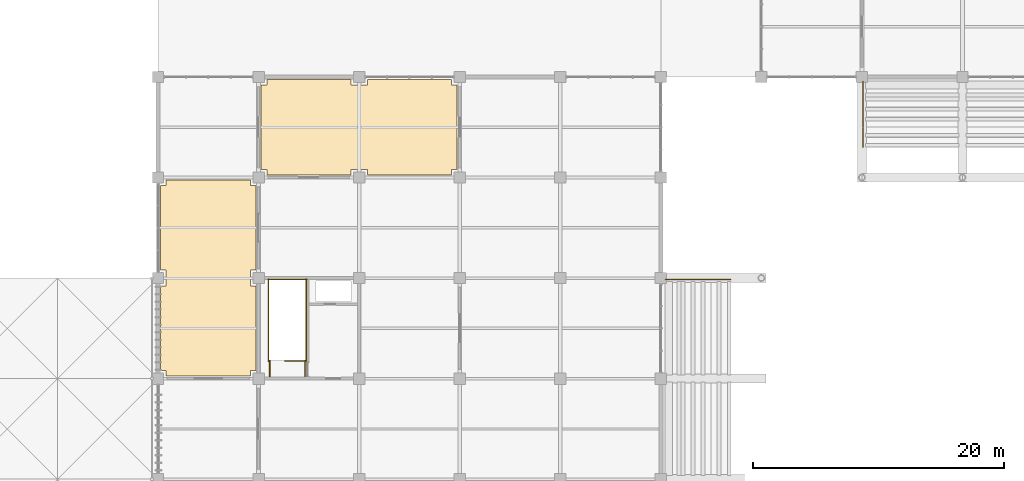
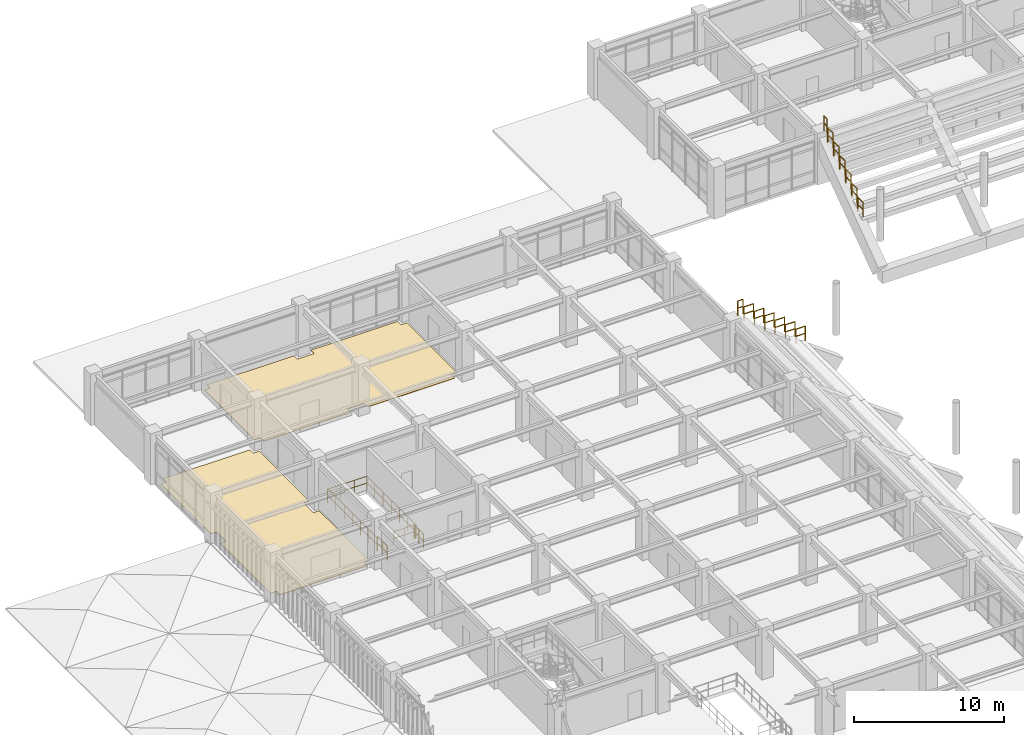
# One storey, part 115 of 118: 20 railings, 2 coverings.
"""IFC4 building model written with IfcOpenShell, lengths in metres."""

from ifc_helpers import new_model, si_unit, direction, frame, origin, origin_2d, place, context, subcontext, project, spatial, polyline, circle, outline, extrude, material, layer, layer_set, type_object, element, save


model = new_model("IFC4")

# Units and contexts
model_context = context("Model", 3, precision=1e-05, world=origin(), true_north=direction((0.0, 1.0)))
body_context = subcontext(model_context, "Body", "Model", "MODEL_VIEW")
ifc_project = project(units=[si_unit("LENGTHUNIT", "METRE"), si_unit("AREAUNIT", "SQUARE_METRE"), si_unit("VOLUMEUNIT", "CUBIC_METRE"), si_unit("PLANEANGLEUNIT", "RADIAN"), si_unit("MASSUNIT", "GRAM", prefix="KILO")], contexts=[model_context])

# Site, building, storey
site_placement = place(None, origin())
site = spatial("IfcSite", under=ifc_project, at=site_placement, CompositionType="ELEMENT")
building_placement = place(site_placement, origin())
building = spatial("IfcBuilding", under=site, at=building_placement, Name="Haebicheon Civic Stadium", CompositionType="ELEMENT")
storey_placement = place(building_placement, frame((0.0, 0.0, 14.39990234375)))
storey = spatial("IfcBuildingStorey", under=building, at=storey_placement, Name="L04", CompositionType="ELEMENT", Elevation=14.39990234375)

# Coverings
ifc_material_1 = material(Name="Quartz epoxy resin mortar", Category="concrete")
ifc_layer = layer(ifc_material_1, 0.030029296875, Name="Quartz epoxy resin mortar")
ifc_layer_set = layer_set([ifc_layer], Name="Quartz epoxy resin mortar")
covering_type = type_object("IfcCoveringType", Name="COV-FLR-EPX", PredefinedType="FLOORING", material=ifc_layer_set)
covering_1_placement = place(storey_placement, origin())
element("IfcCovering", 1, at=covering_1_placement, inside=storey, type_object=covering_type, material=ifc_layer_set, Name="L04 VIP Banquet Dining Room non-slip floor finish", PredefinedType="FLOORING", context=body_context, shape_type="SweptSolid", body=[
    extrude(outline(polyline([(24.64990234375, 128.199951171875), (24.64990234375, 128.64990234375), (24.199951171875, 128.64990234375), (24.199951171875, 135.35009765625), (24.64990234375, 135.35009765625), (24.64990234375, 136.64990234375), (24.199951171875, 136.64990234375), (24.199951171875, 143.35009765625), (24.64990234375, 143.35009765625), (24.64990234375, 143.800048828125), (31.35009765625, 143.800048828125), (31.35009765625, 143.35009765625), (31.800048828125, 143.35009765625), (31.800048828125, 136.64990234375), (31.35009765625, 136.64990234375), (31.35009765625, 135.35009765625), (31.800048828125, 135.35009765625), (31.800048828125, 128.64990234375), (31.35009765625, 128.64990234375), (31.35009765625, 128.199951171875), (24.64990234375, 128.199951171875)])), origin(), (0.0, 0.0, 1.0), 0.030029296875),
])
covering_2_placement = place(storey_placement, origin())
element("IfcCovering", 2, at=covering_2_placement, inside=storey, type_object=covering_type, material=ifc_layer_set, Name="L04 Sommelier Pantry Kitchen non-slip floor finish", PredefinedType="FLOORING", context=body_context, shape_type="SweptSolid", body=[
    extrude(outline(polyline([(32.199951171875, 151.35009765625), (32.64990234375, 151.35009765625), (32.64990234375, 151.800048828125), (39.35009765625, 151.800048828125), (39.35009765625, 151.35009765625), (40.64990234375, 151.35009765625), (40.64990234375, 151.800048828125), (47.35009765625, 151.800048828125), (47.35009765625, 151.35009765625), (47.800048828125, 151.35009765625), (47.800048828125, 144.64990234375), (47.35009765625, 144.64990234375), (47.35009765625, 144.199951171875), (40.64990234375, 144.199951171875), (40.64990234375, 144.64990234375), (39.35009765625, 144.64990234375), (39.35009765625, 144.199951171875), (32.64990234375, 144.199951171875), (32.64990234375, 144.64990234375), (32.199951171875, 144.64990234375), (32.199951171875, 151.35009765625)])), origin(), (0.0, 0.0, 1.0), 0.030029296875),
])

# Railings
ifc_material_2 = material(Name="Stainless steel 316 and laminated glass", Category="steel")
railing_type_1 = type_object("IfcRailingType", Name="RL-BAL-1200", PredefinedType="BALUSTRADE", material=ifc_material_2)
for number, where, name in (
    (3, (68.840087890625, 135.89990234375, 0.3330078125), "TIER-W-U end-aisle side guard N.4"),
    (4, (68.0400390625, 135.89990234375, 0.97802734375), "TIER-W-U end-aisle side guard N.5"),
    (5, (67.239990234375, 135.89990234375, 1.6220703125), "TIER-W-U end-aisle side guard N.6"),
    (6, (66.43994140625, 135.89990234375, 2.26708984375), "TIER-W-U end-aisle side guard N.7"),
):
    element("IfcRailing", number, at=place(storey_placement, frame(where)), inside=storey, type_object=railing_type_1, material=ifc_material_2, Name=name, PredefinedType="BALUSTRADE", context=body_context, shape_type="SweptSolid", body=[
        extrude(circle(Radius=0.02392578125, at=origin_2d()), frame((0.0, 0.0, 1.17578125), z_axis=(1.0, 0.0, 0.0), x_axis=(0.0, 1.0, 0.0)), (0.0, 0.0, 1.0), 0.719970703125),
        extrude(circle(Radius=0.02392578125, at=origin_2d()), frame((0.0, 0.0, 0.60009765625), z_axis=(1.0, 0.0, 0.0), x_axis=(0.0, 1.0, 0.0)), (0.0, 0.0, 1.0), 0.719970703125),
        extrude(circle(Radius=0.02099609375, at=origin_2d()), origin(), (0.0, 0.0, 1.0), 1.15185546875),
        extrude(circle(Radius=0.02099609375, at=origin_2d()), frame((0.719970703125, 0.0, 0.0)), (0.0, 0.0, 1.0), 1.15185546875),
    ])
railing_1_placement = place(storey_placement, frame((65.639892578125, 135.89990234375, 2.9111328125)))
element("IfcRailing", 7, at=railing_1_placement, inside=storey, type_object=railing_type_1, material=ifc_material_2, Name="TIER-W-U end-aisle side guard N.8", PredefinedType="BALUSTRADE", context=body_context, shape_type="SweptSolid", body=[
    extrude(circle(Radius=0.02392578125, at=origin_2d()), frame((0.0, 0.0, 1.17578125), z_axis=(1.0, 0.0, 0.0), x_axis=(0.0, 1.0, 0.0)), (0.0, 0.0, 1.0), 0.72021484375),
    extrude(circle(Radius=0.02392578125, at=origin_2d()), frame((0.0, 0.0, 0.60009765625), z_axis=(1.0, 0.0, 0.0), x_axis=(0.0, 1.0, 0.0)), (0.0, 0.0, 1.0), 0.72021484375),
    extrude(circle(Radius=0.02099609375, at=origin_2d()), origin(), (0.0, 0.0, 1.0), 1.15185546875),
    extrude(circle(Radius=0.02099609375, at=origin_2d()), frame((0.72021484375, 0.0, 0.0)), (0.0, 0.0, 1.0), 1.15185546875),
])
railing_2_placement = place(storey_placement, frame((64.840087890625, 135.89990234375, 3.55615234375)))
element("IfcRailing", 8, at=railing_2_placement, inside=storey, type_object=railing_type_1, material=ifc_material_2, Name="TIER-W-U end-aisle side guard N.9", PredefinedType="BALUSTRADE", context=body_context, shape_type="SweptSolid", body=[
    extrude(circle(Radius=0.02392578125, at=origin_2d()), frame((0.0, 0.0, 1.17578125), z_axis=(1.0, 0.0, 0.0), x_axis=(0.0, 1.0, 0.0)), (0.0, 0.0, 1.0), 0.719970703125),
    extrude(circle(Radius=0.02392578125, at=origin_2d()), frame((0.0, 0.0, 0.60009765625), z_axis=(1.0, 0.0, 0.0), x_axis=(0.0, 1.0, 0.0)), (0.0, 0.0, 1.0), 0.719970703125),
    extrude(circle(Radius=0.02099609375, at=origin_2d()), origin(), (0.0, 0.0, 1.0), 1.15185546875),
    extrude(circle(Radius=0.02099609375, at=origin_2d()), frame((0.719970703125, 0.0, 0.0)), (0.0, 0.0, 1.0), 1.15185546875),
])
railing_3_placement = place(storey_placement, frame((64.360107421875, 135.89990234375, 4.2001953125)))
element("IfcRailing", 9, at=railing_3_placement, inside=storey, type_object=railing_type_1, material=ifc_material_2, Name="TIER-W-U end-aisle side guard N.10", PredefinedType="BALUSTRADE", context=body_context, shape_type="SweptSolid", body=[
    extrude(circle(Radius=0.02392578125, at=origin_2d()), frame((0.0, 0.0, 1.17578125), z_axis=(1.0, 0.0, 0.0), x_axis=(0.0, 1.0, 0.0)), (0.0, 0.0, 1.0), 0.39990234375),
    extrude(circle(Radius=0.02392578125, at=origin_2d()), frame((0.0, 0.0, 0.60009765625), z_axis=(1.0, 0.0, 0.0), x_axis=(0.0, 1.0, 0.0)), (0.0, 0.0, 1.0), 0.39990234375),
    extrude(circle(Radius=0.02099609375, at=origin_2d()), origin(), (0.0, 0.0, 1.0), 1.15185546875),
    extrude(circle(Radius=0.02099609375, at=origin_2d()), frame((0.39990234375, 0.0, 0.0)), (0.0, 0.0, 1.0), 1.15185546875),
])
for number, where, name in (
    (10, (80.10009765625, 146.43994140625, 0.3330078125), "TIER-N-U end-aisle side guard W.4"),
    (11, (80.10009765625, 147.239990234375, 0.97802734375), "TIER-N-U end-aisle side guard W.5"),
    (12, (80.10009765625, 148.0400390625, 1.6220703125), "TIER-N-U end-aisle side guard W.6"),
    (13, (80.10009765625, 148.840087890625, 2.26708984375), "TIER-N-U end-aisle side guard W.7"),
):
    element("IfcRailing", number, at=place(storey_placement, frame(where)), inside=storey, type_object=railing_type_1, material=ifc_material_2, Name=name, PredefinedType="BALUSTRADE", context=body_context, shape_type="SweptSolid", body=[
        extrude(circle(Radius=0.02392578125, at=origin_2d()), frame((0.0, 0.0, 1.17578125), z_axis=(0.0, 1.0, 0.0), x_axis=(-1.0, 0.0, 0.0)), (0.0, 0.0, 1.0), 0.719970703125),
        extrude(circle(Radius=0.02392578125, at=origin_2d()), frame((0.0, 0.0, 0.60009765625), z_axis=(0.0, 1.0, 0.0), x_axis=(-1.0, 0.0, 0.0)), (0.0, 0.0, 1.0), 0.719970703125),
        extrude(circle(Radius=0.02099609375, at=origin_2d()), origin(), (0.0, 0.0, 1.0), 1.15185546875),
        extrude(circle(Radius=0.02099609375, at=origin_2d()), frame((0.0, 0.719970703125, 0.0)), (0.0, 0.0, 1.0), 1.15185546875),
    ])
railing_4_placement = place(storey_placement, frame((80.10009765625, 149.639892578125, 2.9111328125)))
element("IfcRailing", 14, at=railing_4_placement, inside=storey, type_object=railing_type_1, material=ifc_material_2, Name="TIER-N-U end-aisle side guard W.8", PredefinedType="BALUSTRADE", context=body_context, shape_type="SweptSolid", body=[
    extrude(circle(Radius=0.02392578125, at=origin_2d()), frame((0.0, 0.0, 1.17578125), z_axis=(0.0, 1.0, 0.0), x_axis=(-1.0, 0.0, 0.0)), (0.0, 0.0, 1.0), 0.72021484375),
    extrude(circle(Radius=0.02392578125, at=origin_2d()), frame((0.0, 0.0, 0.60009765625), z_axis=(0.0, 1.0, 0.0), x_axis=(-1.0, 0.0, 0.0)), (0.0, 0.0, 1.0), 0.72021484375),
    extrude(circle(Radius=0.02099609375, at=origin_2d()), origin(), (0.0, 0.0, 1.0), 1.15185546875),
    extrude(circle(Radius=0.02099609375, at=origin_2d()), frame((0.0, 0.72021484375, 0.0)), (0.0, 0.0, 1.0), 1.15185546875),
])
railing_5_placement = place(storey_placement, frame((80.10009765625, 150.43994140625, 3.55615234375)))
element("IfcRailing", 15, at=railing_5_placement, inside=storey, type_object=railing_type_1, material=ifc_material_2, Name="TIER-N-U end-aisle side guard W.9", PredefinedType="BALUSTRADE", context=body_context, shape_type="SweptSolid", body=[
    extrude(circle(Radius=0.02392578125, at=origin_2d()), frame((0.0, 0.0, 1.17578125), z_axis=(0.0, 1.0, 0.0), x_axis=(-1.0, 0.0, 0.0)), (0.0, 0.0, 1.0), 0.719970703125),
    extrude(circle(Radius=0.02392578125, at=origin_2d()), frame((0.0, 0.0, 0.60009765625), z_axis=(0.0, 1.0, 0.0), x_axis=(-1.0, 0.0, 0.0)), (0.0, 0.0, 1.0), 0.719970703125),
    extrude(circle(Radius=0.02099609375, at=origin_2d()), origin(), (0.0, 0.0, 1.0), 1.15185546875),
    extrude(circle(Radius=0.02099609375, at=origin_2d()), frame((0.0, 0.719970703125, 0.0)), (0.0, 0.0, 1.0), 1.15185546875),
])
railing_6_placement = place(storey_placement, frame((80.10009765625, 151.239990234375, 4.2001953125)))
element("IfcRailing", 16, at=railing_6_placement, inside=storey, type_object=railing_type_1, material=ifc_material_2, Name="TIER-N-U end-aisle side guard W.10", PredefinedType="BALUSTRADE", context=body_context, shape_type="SweptSolid", body=[
    extrude(circle(Radius=0.02392578125, at=origin_2d()), frame((0.0, 0.0, 1.17578125), z_axis=(0.0, 1.0, 0.0), x_axis=(-1.0, 0.0, 0.0)), (0.0, 0.0, 1.0), 0.39990234375),
    extrude(circle(Radius=0.02392578125, at=origin_2d()), frame((0.0, 0.0, 0.60009765625), z_axis=(0.0, 1.0, 0.0), x_axis=(-1.0, 0.0, 0.0)), (0.0, 0.0, 1.0), 0.39990234375),
    extrude(circle(Radius=0.02099609375, at=origin_2d()), origin(), (0.0, 0.0, 1.0), 1.15185546875),
    extrude(circle(Radius=0.02099609375, at=origin_2d()), frame((0.0, 0.39990234375, 0.0)), (0.0, 0.0, 1.0), 1.15185546875),
])
ifc_material_3 = material(Name="Galvanised painted steel SM355", Category="steel")
railing_type_2 = type_object("IfcRailingType", Name="RL-GRD-1150", PredefinedType="GUARDRAIL", material=ifc_material_3)
railing_7_placement = place(storey_placement, frame((35.739990234375, 129.39990234375, 0.0)))
element("IfcRailing", 17, at=railing_7_placement, inside=storey, type_object=railing_type_2, material=ifc_material_3, Name="L04 ST-05 top well guard 1", PredefinedType="GUARDRAIL", context=body_context, shape_type="SweptSolid", body=[
    extrude(circle(Radius=0.02392578125, at=origin_2d()), frame((0.0, 0.0, 1.1259765625), z_axis=(-1.0, 0.0, 0.0), x_axis=(0.0, -1.0, 0.0)), (0.0, 0.0, 1.0), 1.639892578125),
    extrude(circle(Radius=0.02392578125, at=origin_2d()), frame((0.0, 0.0, 0.574951171875), z_axis=(-1.0, 0.0, 0.0), x_axis=(0.0, -1.0, 0.0)), (0.0, 0.0, 1.0), 1.639892578125),
    extrude(circle(Radius=0.02099609375, at=origin_2d()), origin(), (0.0, 0.0, 1.0), 1.101806640625),
    extrude(circle(Radius=0.02099609375, at=origin_2d()), frame((-0.81982421875, 0.0, 0.0)), (0.0, 0.0, 1.0), 1.101806640625),
    extrude(circle(Radius=0.02099609375, at=origin_2d()), frame((-1.639892578125, 0.0, 0.0)), (0.0, 0.0, 1.0), 1.101806640625),
])
for number, where, name in (
    (18, (35.7900390625, 129.35009765625, 0.0), "L04 ST-05 top well guard 2"),
    (19, (32.7900390625, 129.35009765625, 0.0), "L04 ST-05 top well guard 3"),
):
    element("IfcRailing", number, at=place(storey_placement, frame(where)), inside=storey, type_object=railing_type_2, material=ifc_material_3, Name=name, PredefinedType="GUARDRAIL", context=body_context, shape_type="SweptSolid", body=[
        extrude(circle(Radius=0.02392578125, at=origin_2d()), frame((0.0, 0.0, 1.1259765625), z_axis=(0.0, 1.0, 0.0), x_axis=(-1.0, 0.0, 0.0)), (0.0, 0.0, 1.0), 6.58984375),
        extrude(circle(Radius=0.02392578125, at=origin_2d()), frame((0.0, 0.0, 0.574951171875), z_axis=(0.0, 1.0, 0.0), x_axis=(-1.0, 0.0, 0.0)), (0.0, 0.0, 1.0), 6.58984375),
        extrude(circle(Radius=0.02099609375, at=origin_2d()), origin(), (0.0, 0.0, 1.0), 1.101806640625),
        extrude(circle(Radius=0.02099609375, at=origin_2d()), frame((0.0, 1.098388671875, 0.0)), (0.0, 0.0, 1.0), 1.101806640625),
        extrude(circle(Radius=0.02099609375, at=origin_2d()), frame((0.0, 2.196533203125, 0.0)), (0.0, 0.0, 1.0), 1.101806640625),
        extrude(circle(Radius=0.02099609375, at=origin_2d()), frame((0.0, 3.294921875, 0.0)), (0.0, 0.0, 1.0), 1.101806640625),
        extrude(circle(Radius=0.02099609375, at=origin_2d()), frame((0.0, 4.393310546875, 0.0)), (0.0, 0.0, 1.0), 1.101806640625),
        extrude(circle(Radius=0.02099609375, at=origin_2d()), frame((0.0, 5.491455078125, 0.0)), (0.0, 0.0, 1.0), 1.101806640625),
        extrude(circle(Radius=0.02099609375, at=origin_2d()), frame((0.0, 6.58984375, 0.0)), (0.0, 0.0, 1.0), 1.101806640625),
    ])
railing_8_placement = place(storey_placement, frame((35.840087890625, 135.889892578125, 0.0)))
element("IfcRailing", 20, at=railing_8_placement, inside=storey, type_object=railing_type_2, material=ifc_material_3, Name="L04 ST-05 top well guard 4", PredefinedType="GUARDRAIL", context=body_context, shape_type="SweptSolid", body=[
    extrude(circle(Radius=0.02392578125, at=origin_2d()), frame((0.0, 0.0, 1.1259765625), z_axis=(-1.0, 0.0, 0.0), x_axis=(0.0, -1.0, 0.0)), (0.0, 0.0, 1.0), 3.10009765625),
    extrude(circle(Radius=0.02392578125, at=origin_2d()), frame((0.0, 0.0, 0.574951171875), z_axis=(-1.0, 0.0, 0.0), x_axis=(0.0, -1.0, 0.0)), (0.0, 0.0, 1.0), 3.10009765625),
    extrude(circle(Radius=0.02099609375, at=origin_2d()), origin(), (0.0, 0.0, 1.0), 1.101806640625),
    extrude(circle(Radius=0.02099609375, at=origin_2d()), frame((-1.033447265625, 0.0, 0.0)), (0.0, 0.0, 1.0), 1.101806640625),
    extrude(circle(Radius=0.02099609375, at=origin_2d()), frame((-2.066650390625, 0.0, 0.0)), (0.0, 0.0, 1.0), 1.101806640625),
    extrude(circle(Radius=0.02099609375, at=origin_2d()), frame((-3.10009765625, 0.0, 0.0)), (0.0, 0.0, 1.0), 1.101806640625),
])
for number, where, name in (
    (21, (35.68994140625, 128.159912109375, 0.0), "L04 ST-05 top well guard 5"),
    (22, (32.889892578125, 128.159912109375, 0.0), "L04 ST-05 top well guard 6"),
):
    element("IfcRailing", number, at=place(storey_placement, frame(where)), inside=storey, type_object=railing_type_2, material=ifc_material_3, Name=name, PredefinedType="GUARDRAIL", context=body_context, shape_type="SweptSolid", body=[
        extrude(circle(Radius=0.02392578125, at=origin_2d()), frame((0.0, 0.0, 1.1259765625), z_axis=(0.0, 1.0, 0.0), x_axis=(-1.0, 0.0, 0.0)), (0.0, 0.0, 1.0), 1.2900390625),
        extrude(circle(Radius=0.02392578125, at=origin_2d()), frame((0.0, 0.0, 0.574951171875), z_axis=(0.0, 1.0, 0.0), x_axis=(-1.0, 0.0, 0.0)), (0.0, 0.0, 1.0), 1.2900390625),
        extrude(circle(Radius=0.02099609375, at=origin_2d()), origin(), (0.0, 0.0, 1.0), 1.101806640625),
        extrude(circle(Radius=0.02099609375, at=origin_2d()), frame((0.0, 0.64501953125, 0.0)), (0.0, 0.0, 1.0), 1.101806640625),
        extrude(circle(Radius=0.02099609375, at=origin_2d()), frame((0.0, 1.2900390625, 0.0)), (0.0, 0.0, 1.0), 1.101806640625),
    ])

save(model, "model.ifc")
